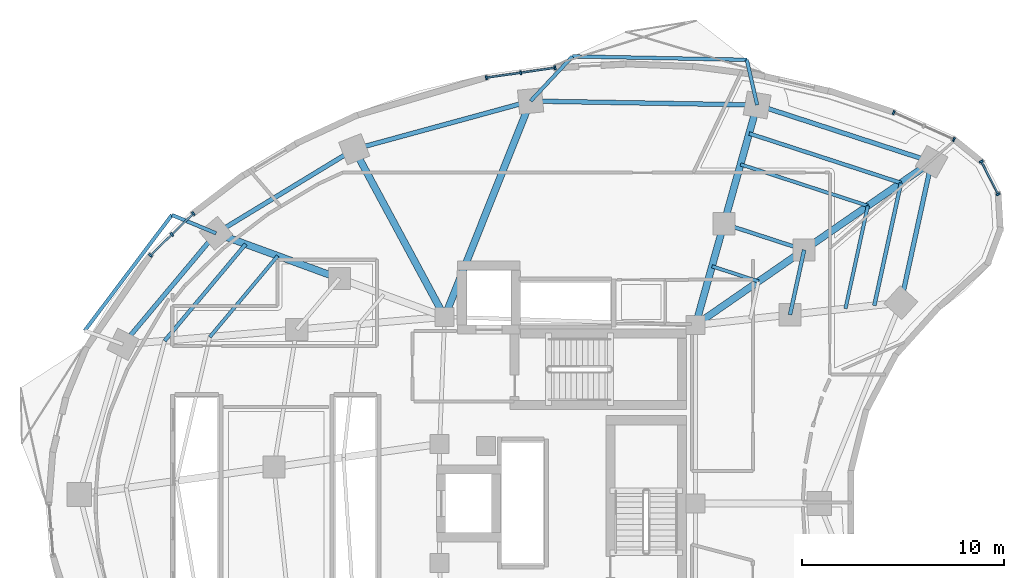
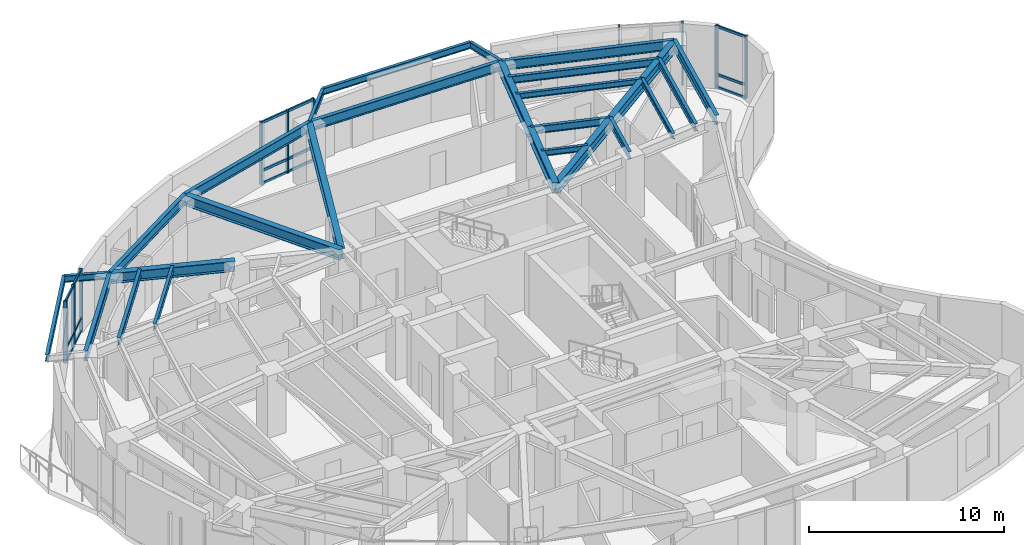
# One storey, part 5 of 15: 27 beams, 25 members, 4 elements without a shape of their own.
"""IFC4 building model written with IfcOpenShell, lengths in metres."""

from ifc_helpers import new_model, si_unit, direction, frame, origin, origin_2d, place, context, subcontext, project, spatial, rectangle, i_section, extrude, material, layer, layer_set, material_profile, profile_set, type_object, element, aggregate, save


model = new_model("IFC4")

# Units and contexts
model_context = context("Model", 3, precision=1e-05, world=origin(), true_north=direction((0.0, 1.0)))
body_context = subcontext(model_context, "Body", "Model", "MODEL_VIEW")
ifc_project = project(units=[si_unit("LENGTHUNIT", "METRE"), si_unit("AREAUNIT", "SQUARE_METRE"), si_unit("VOLUMEUNIT", "CUBIC_METRE"), si_unit("PLANEANGLEUNIT", "RADIAN"), si_unit("MASSUNIT", "GRAM", prefix="KILO")], contexts=[model_context])

# Site, building, storey
site_placement = place(None, origin())
site = spatial("IfcSite", under=ifc_project, at=site_placement, CompositionType="ELEMENT")
building_placement = place(site_placement, origin())
building = spatial("IfcBuilding", under=site, at=building_placement, Name="Korentha Bioscience Tower", CompositionType="ELEMENT")
storey_placement = place(building_placement, frame((0.0, 0.0, 111.0)))
storey = spatial("IfcBuildingStorey", under=building, at=storey_placement, Name="L25", CompositionType="ELEMENT", Elevation=111.0)

# Beams
ifc_material_1 = material(Name="Steel S355", Category="steel")
ifc_material_profile_1 = material_profile(ifc_material_1, i_section(OverallWidth=0.18994140625, OverallDepth=0.45703125, WebThickness=0.009033203125, FlangeThickness=0.014404296875, at=origin_2d()), Name="Steel S355")
ifc_profile_set_1 = profile_set([ifc_material_profile_1], Name="Steel S355 (MB-460)")
beam_type_1 = type_object("IfcBeamType", Name="Mid-Ring Tie Girder W460x74", PredefinedType="BEAM", material=ifc_profile_set_1)
beam_1_placement = place(storey_placement, frame((42.93603515625, 39.57470703125, 3.67138671875), z_axis=(-0.95087582253, 0.309572560361, 0.0), x_axis=(-0.309572560361, -0.95087582253, 0.0)))
element("IfcBeam", 1, at=beam_1_placement, inside=storey, type_object=beam_type_1, Name="L25 Mid-Ring Tie Girder 01", PredefinedType="BEAM", context=body_context, shape_type="SweptSolid", body=[
    extrude(i_section(OverallWidth=0.18994140625, OverallDepth=0.45703125, WebThickness=0.009033203125, FlangeThickness=0.014404296875, at=origin_2d()), origin(), (0.0, 0.0, 1.0), 4.186767578125),
])
beam_2_placement = place(storey_placement, frame((42.235595703125, 36.360595703125, 3.67138671875), z_axis=(0.212928773299, 0.977067724112, 0.0), x_axis=(-0.977067724112, 0.212928773299, 0.0)))
element("IfcBeam", 2, at=beam_2_placement, inside=storey, type_object=beam_type_1, Name="L25 Mid-Ring Tie Girder 16", PredefinedType="BEAM", context=body_context, shape_type="SweptSolid", body=[
    extrude(i_section(OverallWidth=0.18994140625, OverallDepth=0.45703125, WebThickness=0.009033203125, FlangeThickness=0.014404296875, at=origin_2d()), origin(), (0.0, 0.0, 1.0), 3.28955078125),
])

# Curtain wall, members
ifc_material_2 = material(Name="Thermally Broken Aluminium Frame", Category="aluminium")
ifc_layer = layer(ifc_material_2, 0.219970703125, Name="Thermally Broken Aluminium Frame")
ifc_layer_set = layer_set([ifc_layer], Name="Thermally Broken Aluminium Frame (CW-T1)")
curtain_wall_type = type_object("IfcCurtainWallType", Name="Standard Bioscience Lab Unitised Curtain Wall CW-T1", PredefinedType="USERDEFINED", material=ifc_layer_set)
curtain_wall_1_placement = place(storey_placement, origin())
curtain_wall_1 = element("IfcCurtainWall", 3, at=curtain_wall_1_placement, inside=storey, type_object=curtain_wall_type, Name="L25 Curtain Wall 01", ObjectType="UNITISED", PredefinedType="USERDEFINED")
ifc_material_3 = material(Name="Anodised Aluminium 6063-T6", Category="aluminium")
ifc_material_profile_2 = material_profile(ifc_material_3, rectangle(XDim=0.090087890625, YDim=0.199951171875, at=origin_2d()), Name="Anodised Aluminium 6063-T6")
ifc_profile_set_2 = profile_set([ifc_material_profile_2], Name="Anodised Aluminium 6063-T6 (CW-MUL)")
member_type_1 = type_object("IfcMemberType", Name="Mullion RECT 90x200", PredefinedType="MULLION", material=ifc_profile_set_2)
member_1_placement = place(storey_placement, frame((50.364013671875, 45.0517578125, 0.0), z_axis=(0.0, 0.0, 1.0), x_axis=(-0.912686563127, 0.408660295952, 0.0)))
member_1 = element("IfcMember", 4, at=member_1_placement, type_object=member_type_1, Name="CW-L25-01 Mullion 1", PredefinedType="MULLION", context=body_context, shape_type="SweptSolid", body=[
    extrude(rectangle(XDim=0.090087890625, YDim=0.199951171875, at=origin_2d()), origin(), (0.0, 0.0, 1.0), 3.89990234375),
])
member_2_placement = place(storey_placement, frame((47.37890625, 46.388427734375, 0.0), z_axis=(0.0, 0.0, 1.0), x_axis=(-0.912686563127, 0.408660295952, 0.0)))
member_2 = element("IfcMember", 5, at=member_2_placement, type_object=member_type_1, Name="CW-L25-01 Mullion 3", PredefinedType="MULLION", context=body_context, shape_type="SweptSolid", body=[
    extrude(rectangle(XDim=0.090087890625, YDim=0.199951171875, at=origin_2d()), origin(), (0.0, 0.0, 1.0), 3.89990234375),
])
aggregate(curtain_wall_1, [member_1, member_2])

curtain_wall_2_placement = place(storey_placement, origin())
curtain_wall_2 = element("IfcCurtainWall", 6, at=curtain_wall_2_placement, inside=storey, type_object=curtain_wall_type, Name="L25 Curtain Wall 07", ObjectType="UNITISED", PredefinedType="USERDEFINED")
member_3_placement = place(storey_placement, frame((30.576416015625, 48.609375, 0.0), z_axis=(0.0, 0.0, 1.0), x_axis=(-0.989738282326, -0.14289203091, 0.0)))
member_3 = element("IfcMember", 7, at=member_3_placement, type_object=member_type_1, Name="CW-L25-07 Mullion 1", PredefinedType="MULLION", context=body_context, shape_type="SweptSolid", body=[
    extrude(rectangle(XDim=0.090087890625, YDim=0.199951171875, at=origin_2d()), origin(), (0.0, 0.0, 1.0), 3.89990234375),
])
member_4_placement = place(storey_placement, frame((28.873291015625, 48.363525390625, 0.0), z_axis=(0.0, 0.0, 1.0), x_axis=(-0.989738282326, -0.14289203091, 0.0)))
member_4 = element("IfcMember", 8, at=member_4_placement, type_object=member_type_1, Name="CW-L25-07 Mullion 2", PredefinedType="MULLION", context=body_context, shape_type="SweptSolid", body=[
    extrude(rectangle(XDim=0.090087890625, YDim=0.199951171875, at=origin_2d()), origin(), (0.0, 0.0, 1.0), 3.89990234375),
])
member_5_placement = place(storey_placement, frame((27.170166015625, 48.11767578125, 0.0), z_axis=(0.0, 0.0, 1.0), x_axis=(-0.989738282326, -0.14289203091, 0.0)))
member_5 = element("IfcMember", 9, at=member_5_placement, type_object=member_type_1, Name="CW-L25-07 Mullion 3", PredefinedType="MULLION", context=body_context, shape_type="SweptSolid", body=[
    extrude(rectangle(XDim=0.090087890625, YDim=0.199951171875, at=origin_2d()), origin(), (0.0, 0.0, 1.0), 3.89990234375),
])

curtain_wall_3_placement = place(storey_placement, origin())
curtain_wall_3 = element("IfcCurtainWall", 10, at=curtain_wall_3_placement, inside=storey, type_object=curtain_wall_type, Name="L25 Curtain Wall 13", ObjectType="UNITISED", PredefinedType="USERDEFINED")
member_6_placement = place(storey_placement, frame((12.631103515625, 41.377197265625, 0.0), z_axis=(0.0, 0.0, 1.0), x_axis=(-0.716095631804, -0.698002182025, 0.0)))
member_6 = element("IfcMember", 11, at=member_6_placement, type_object=member_type_1, Name="CW-L25-13 Mullion 1", PredefinedType="MULLION", context=body_context, shape_type="SweptSolid", body=[
    extrude(rectangle(XDim=0.090087890625, YDim=0.199951171875, at=origin_2d()), origin(), (0.0, 0.0, 1.0), 3.89990234375),
])
member_7_placement = place(storey_placement, frame((11.56689453125, 40.340087890625, 0.0), z_axis=(0.0, 0.0, 1.0), x_axis=(-0.716095631804, -0.698002182025, 0.0)))
member_7 = element("IfcMember", 12, at=member_7_placement, type_object=member_type_1, Name="CW-L25-13 Mullion 2", PredefinedType="MULLION", context=body_context, shape_type="SweptSolid", body=[
    extrude(rectangle(XDim=0.090087890625, YDim=0.199951171875, at=origin_2d()), origin(), (0.0, 0.0, 1.0), 3.89990234375),
])
member_8_placement = place(storey_placement, frame((10.5029296875, 39.302734375, 0.0), z_axis=(0.0, 0.0, 1.0), x_axis=(-0.716095631804, -0.698002182025, 0.0)))
member_8 = element("IfcMember", 13, at=member_8_placement, type_object=member_type_1, Name="CW-L25-13 Mullion 3", PredefinedType="MULLION", context=body_context, shape_type="SweptSolid", body=[
    extrude(rectangle(XDim=0.090087890625, YDim=0.199951171875, at=origin_2d()), origin(), (0.0, 0.0, 1.0), 3.89990234375),
])

curtain_wall_4_placement = place(storey_placement, origin())
curtain_wall_4 = element("IfcCurtainWall", 14, at=curtain_wall_4_placement, inside=storey, type_object=curtain_wall_type, Name="L25 Curtain Wall 61", ObjectType="UNITISED", PredefinedType="USERDEFINED")
member_9_placement = place(storey_placement, frame((52.55859375, 42.337158203125, 0.0), z_axis=(0.0, 0.0, 1.0), x_axis=(-0.457613117169, 0.889151412862, 0.0)))
member_9 = element("IfcMember", 15, at=member_9_placement, type_object=member_type_1, Name="CW-L25-61 Mullion 1", PredefinedType="MULLION", context=body_context, shape_type="SweptSolid", body=[
    extrude(rectangle(XDim=0.090087890625, YDim=0.199951171875, at=origin_2d()), origin(), (0.0, 0.0, 1.0), 3.89990234375),
])
member_10_placement = place(storey_placement, frame((51.722412109375, 43.962158203125, 0.0), z_axis=(0.0, 0.0, 1.0), x_axis=(-0.457613117169, 0.889151412862, 0.0)))
member_10 = element("IfcMember", 16, at=member_10_placement, type_object=member_type_1, Name="CW-L25-61 Mullion 2", PredefinedType="MULLION", context=body_context, shape_type="SweptSolid", body=[
    extrude(rectangle(XDim=0.090087890625, YDim=0.199951171875, at=origin_2d()), origin(), (0.0, 0.0, 1.0), 3.89990234375),
])

# Beams
ifc_material_profile_3 = material_profile(ifc_material_1, i_section(OverallWidth=0.22802734375, OverallDepth=0.60791015625, WebThickness=0.01123046875, FlangeThickness=0.017333984375, at=origin_2d()), Name="Steel S355")
ifc_profile_set_3 = profile_set([ifc_material_profile_3], Name="Steel S355 (SB-610)")
beam_type_2 = type_object("IfcBeamType", Name="Perimeter Ring Spandrel Girder W610x113", PredefinedType="SPANDREL", material=ifc_profile_set_3)
beam_3_placement = place(storey_placement, frame((49.2587890625, 43.947021484375, 3.595947265625), z_axis=(-0.950867758759, 0.309597327755, 0.0), x_axis=(-0.309597327755, -0.950867758759, 0.0)))
element("IfcBeam", 17, at=beam_3_placement, inside=storey, type_object=beam_type_2, Name="L25 Perimeter Spandrel Girder 01", PredefinedType="SPANDREL", context=body_context, shape_type="SweptSolid", body=[
    extrude(i_section(OverallWidth=0.22802734375, OverallDepth=0.60791015625, WebThickness=0.01123046875, FlangeThickness=0.017333984375, at=origin_2d()), origin(), (0.0, 0.0, 1.0), 9.101806640625),
])
beam_4_placement = place(storey_placement, frame((40.604248046875, 46.764892578125, 3.595947265625), z_axis=(-0.999850566826, 0.017287105523, 0.0), x_axis=(-0.017287105523, -0.999850566826, 0.0)))
element("IfcBeam", 18, at=beam_4_placement, inside=storey, type_object=beam_type_2, Name="L25 Perimeter Spandrel Girder 02", PredefinedType="SPANDREL", context=body_context, shape_type="SweptSolid", body=[
    extrude(i_section(OverallWidth=0.22802734375, OverallDepth=0.60791015625, WebThickness=0.01123046875, FlangeThickness=0.017333984375, at=origin_2d()), origin(), (0.0, 0.0, 1.0), 11.24169921875),
])
beam_5_placement = place(storey_placement, frame((29.3642578125, 46.959228515625, 3.595947265625), z_axis=(-0.964659386444, -0.263500034431, 0.0), x_axis=(0.263500034431, -0.964659386444, 0.0)))
element("IfcBeam", 19, at=beam_5_placement, inside=storey, type_object=beam_type_2, Name="L25 Perimeter Spandrel Girder 03", PredefinedType="SPANDREL", context=body_context, shape_type="SweptSolid", body=[
    extrude(i_section(OverallWidth=0.22802734375, OverallDepth=0.60791015625, WebThickness=0.01123046875, FlangeThickness=0.017333984375, at=origin_2d()), origin(), (0.0, 0.0, 1.0), 9.06982421875),
])
beam_6_placement = place(storey_placement, frame((20.614990234375, 44.5693359375, 3.595947265625), z_axis=(-0.854461040474, -0.51951547649, 0.0), x_axis=(0.51951547649, -0.854461040474, 0.0)))
element("IfcBeam", 20, at=beam_6_placement, inside=storey, type_object=beam_type_2, Name="L25 Perimeter Spandrel Girder 04", PredefinedType="SPANDREL", context=body_context, shape_type="SweptSolid", body=[
    extrude(i_section(OverallWidth=0.22802734375, OverallDepth=0.60791015625, WebThickness=0.01123046875, FlangeThickness=0.017333984375, at=origin_2d()), origin(), (0.0, 0.0, 1.0), 8.025146484375),
])
beam_7_placement = place(storey_placement, frame((13.7578125, 40.400146484375, 3.595947265625), z_axis=(-0.642126556076, -0.76659864726, 0.0), x_axis=(0.76659864726, -0.642126556076, 0.0)))
element("IfcBeam", 21, at=beam_7_placement, inside=storey, type_object=beam_type_2, Name="L25 Perimeter Spandrel Girder 05", PredefinedType="SPANDREL", context=body_context, shape_type="SweptSolid", body=[
    extrude(i_section(OverallWidth=0.22802734375, OverallDepth=0.60791015625, WebThickness=0.01123046875, FlangeThickness=0.017333984375, at=origin_2d()), origin(), (0.0, 0.0, 1.0), 7.1884765625),
])
beam_8_placement = place(storey_placement, frame((47.736083984375, 36.959716796875, 3.595947265625), z_axis=(0.212927102256, 0.977068088275, 0.0), x_axis=(-0.977068088275, 0.212927102256, 0.0)))
element("IfcBeam", 22, at=beam_8_placement, inside=storey, type_object=beam_type_2, Name="L25 Perimeter Spandrel Girder 16", PredefinedType="SPANDREL", context=body_context, shape_type="SweptSolid", body=[
    extrude(i_section(OverallWidth=0.22802734375, OverallDepth=0.60791015625, WebThickness=0.01123046875, FlangeThickness=0.017333984375, at=origin_2d()), origin(), (0.0, 0.0, 1.0), 7.1513671875),
])
ifc_material_profile_4 = material_profile(ifc_material_1, i_section(OverallWidth=0.18994140625, OverallDepth=0.45703125, WebThickness=0.009033203125, FlangeThickness=0.014404296875, at=origin_2d()), Name="Steel S355")
ifc_profile_set_4 = profile_set([ifc_material_profile_4], Name="Steel S355 (RB-460)")
beam_type_3 = type_object("IfcBeamType", Name="Radial Laboratory Beam W460x74", PredefinedType="BEAM", material=ifc_profile_set_4)
beam_9_placement = place(storey_placement, frame((47.7412109375, 42.8974609375, 3.67138671875), z_axis=(-0.950866789802, 0.3096003037, 0.0), x_axis=(-0.3096003037, -0.950866789802, 0.0)))
element("IfcBeam", 23, at=beam_9_placement, inside=storey, type_object=beam_type_3, Name="L25 Secondary Floor Beam JSTO-01", PredefinedType="BEAM", context=body_context, shape_type="SweptSolid", body=[
    extrude(i_section(OverallWidth=0.18994140625, OverallDepth=0.45703125, WebThickness=0.009033203125, FlangeThickness=0.014404296875, at=origin_2d()), origin(), (0.0, 0.0, 1.0), 7.921875),
])
beam_10_placement = place(storey_placement, frame((15.227783203125, 39.8623046875, 3.67138671875), z_axis=(-0.642128156066, -0.766597307057, 0.0), x_axis=(0.766597307057, -0.642128156066, 0.0)))
element("IfcBeam", 24, at=beam_10_placement, inside=storey, type_object=beam_type_3, Name="L25 Secondary Floor Beam JSTO-05", PredefinedType="BEAM", context=body_context, shape_type="SweptSolid", body=[
    extrude(i_section(OverallWidth=0.18994140625, OverallDepth=0.45703125, WebThickness=0.009033203125, FlangeThickness=0.014404296875, at=origin_2d()), origin(), (0.0, 0.0, 1.0), 6.257080078125),
])
beam_11_placement = place(storey_placement, frame((46.416015625, 36.81591796875, 3.67138671875), z_axis=(0.21290837934, 0.977072168269, 0.0), x_axis=(-0.977072168269, 0.21290837934, 0.0)))
element("IfcBeam", 25, at=beam_11_placement, inside=storey, type_object=beam_type_3, Name="L25 Secondary Floor Beam JSTO-16", PredefinedType="BEAM", context=body_context, shape_type="SweptSolid", body=[
    extrude(i_section(OverallWidth=0.18994140625, OverallDepth=0.45703125, WebThickness=0.009033203125, FlangeThickness=0.014404296875, at=origin_2d()), origin(), (0.0, 0.0, 1.0), 6.224365234375),
])
ifc_material_profile_5 = material_profile(ifc_material_1, i_section(OverallWidth=0.35009765625, OverallDepth=0.64990234375, WebThickness=0.01611328125, FlangeThickness=0.02490234375, at=origin_2d()), Name="Steel S355")
ifc_profile_set_5 = profile_set([ifc_material_profile_5], Name="Steel S355 (RB-650)")
beam_type_4 = type_object("IfcBeamType", Name="Radial Laboratory Girder CVS 650x208", PredefinedType="BEAM", material=ifc_profile_set_5)
beam_12_placement = place(storey_placement, frame((37.550048828125, 35.85009765625, 3.574951171875), z_axis=(0.822488699387, 0.568781451333, 0.0), x_axis=(-0.568781451333, 0.822488699387, 0.0)))
element("IfcBeam", 26, at=beam_12_placement, inside=storey, type_object=beam_type_4, Name="L25 Inner Radial Girder 01", PredefinedType="BEAM", context=body_context, shape_type="SweptSolid", body=[
    extrude(i_section(OverallWidth=0.35009765625, OverallDepth=0.64990234375, WebThickness=0.01611328125, FlangeThickness=0.02490234375, at=origin_2d()), origin(), (0.0, 0.0, 1.0), 6.54833984375),
])
beam_13_placement = place(storey_placement, frame((42.93603515625, 39.57470703125, 3.574951171875), z_axis=(0.822495056204, 0.568772258922, 0.0), x_axis=(-0.568772258922, 0.822495056204, 0.0)))
element("IfcBeam", 27, at=beam_13_placement, inside=storey, type_object=beam_type_4, Name="L25 Outer Radial Girder 01", PredefinedType="BEAM", context=body_context, shape_type="SweptSolid", body=[
    extrude(i_section(OverallWidth=0.35009765625, OverallDepth=0.64990234375, WebThickness=0.01611328125, FlangeThickness=0.02490234375, at=origin_2d()), origin(), (0.0, 0.0, 1.0), 7.687255859375),
])
beam_14_placement = place(storey_placement, frame((37.550048828125, 35.85009765625, 3.574951171875), z_axis=(0.269447542125, 0.96301506844, 0.0), x_axis=(-0.96301506844, 0.269447542125, 0.0)))
element("IfcBeam", 28, at=beam_14_placement, inside=storey, type_object=beam_type_4, Name="L25 Inner Radial Girder 02", PredefinedType="BEAM", context=body_context, shape_type="SweptSolid", body=[
    extrude(i_section(OverallWidth=0.35009765625, OverallDepth=0.64990234375, WebThickness=0.01611328125, FlangeThickness=0.02490234375, at=origin_2d()), origin(), (0.0, 0.0, 1.0), 5.213623046875),
])
beam_15_placement = place(storey_placement, frame((38.954833984375, 40.870849609375, 3.574951171875), z_axis=(0.269490843458, 0.963002951861, 0.0), x_axis=(-0.963002951861, 0.269490843458, 0.0)))
element("IfcBeam", 29, at=beam_15_placement, inside=storey, type_object=beam_type_4, Name="L25 Outer Radial Girder 02", PredefinedType="BEAM", context=body_context, shape_type="SweptSolid", body=[
    extrude(i_section(OverallWidth=0.35009765625, OverallDepth=0.64990234375, WebThickness=0.01611328125, FlangeThickness=0.02490234375, at=origin_2d()), origin(), (0.0, 0.0, 1.0), 6.120361328125),
])
beam_16_placement = place(storey_placement, frame((25.10009765625, 36.25, 3.574951171875), z_axis=(0.369929528493, 0.929059817207, 0.0), x_axis=(-0.929059817207, 0.369929528493, 0.0)))
element("IfcBeam", 30, at=beam_16_placement, inside=storey, type_object=beam_type_4, Name="L25 Radial Girder 03", PredefinedType="BEAM", context=body_context, shape_type="SweptSolid", body=[
    extrude(i_section(OverallWidth=0.35009765625, OverallDepth=0.64990234375, WebThickness=0.01611328125, FlangeThickness=0.02490234375, at=origin_2d()), origin(), (0.0, 0.0, 1.0), 11.52685546875),
])
beam_17_placement = place(storey_placement, frame((25.10009765625, 36.25, 3.574951171875), z_axis=(-0.474548018732, 0.880229616587, 0.0), x_axis=(-0.880229616587, -0.474548018732, 0.0)))
element("IfcBeam", 31, at=beam_17_placement, inside=storey, type_object=beam_type_4, Name="L25 Radial Girder 04", PredefinedType="BEAM", context=body_context, shape_type="SweptSolid", body=[
    extrude(i_section(OverallWidth=0.35009765625, OverallDepth=0.64990234375, WebThickness=0.01611328125, FlangeThickness=0.02490234375, at=origin_2d()), origin(), (0.0, 0.0, 1.0), 9.451416015625),
])
beam_18_placement = place(storey_placement, frame((19.882568359375, 38.158935546875, 3.574951171875), z_axis=(-0.939100755225, 0.343641923425, 0.0), x_axis=(-0.343641923425, -0.939100755225, 0.0)))
element("IfcBeam", 32, at=beam_18_placement, inside=storey, type_object=beam_type_4, Name="L25 Outer Radial Girder 05", PredefinedType="BEAM", context=body_context, shape_type="SweptSolid", body=[
    extrude(i_section(OverallWidth=0.35009765625, OverallDepth=0.64990234375, WebThickness=0.01611328125, FlangeThickness=0.02490234375, at=origin_2d()), origin(), (0.0, 0.0, 1.0), 6.52197265625),
])
ifc_material_profile_6 = material_profile(ifc_material_1, i_section(OverallWidth=0.1708984375, OverallDepth=0.35498046875, WebThickness=0.007080078125, FlangeThickness=0.01171875, at=origin_2d()), Name="Steel S355")
ifc_profile_set_6 = profile_set([ifc_material_profile_6], Name="Steel S355 (JB-360)")
beam_type_5 = type_object("IfcBeamType", Name="Secondary Laboratory Joist W360x51", PredefinedType="JOIST", material=ifc_profile_set_6)
beam_19_placement = place(storey_placement, frame((46.097412109375, 41.7607421875, 3.722412109375), z_axis=(-0.950864890997, 0.309606135387, 0.0), x_axis=(-0.309606135387, -0.950864890997, 0.0)))
element("IfcBeam", 33, at=beam_19_placement, inside=storey, type_object=beam_type_5, Name="L25 Secondary Floor Beam JST-01", PredefinedType="JOIST", context=body_context, shape_type="SweptSolid", body=[
    extrude(i_section(OverallWidth=0.1708984375, OverallDepth=0.35498046875, WebThickness=0.007080078125, FlangeThickness=0.01171875, at=origin_2d()), origin(), (0.0, 0.0, 1.0), 6.644287109375),
])
beam_20_placement = place(storey_placement, frame((40.673828125, 38.01025390625, 3.722412109375), z_axis=(-0.950852158547, 0.30964523666, 0.0), x_axis=(-0.30964523666, -0.950852158547, 0.0)))
element("IfcBeam", 34, at=beam_20_placement, inside=storey, type_object=beam_type_5, Name="L25 Inner Bay Joist 01", PredefinedType="JOIST", context=body_context, shape_type="SweptSolid", body=[
    extrude(i_section(OverallWidth=0.1708984375, OverallDepth=0.35498046875, WebThickness=0.007080078125, FlangeThickness=0.01171875, at=origin_2d()), origin(), (0.0, 0.0, 1.0), 2.428466796875),
])
beam_21_placement = place(storey_placement, frame((16.8203125, 39.279541015625, 3.722412109375), z_axis=(-0.642140812018, -0.76658670582, 0.0), x_axis=(0.76658670582, -0.642140812018, 0.0)))
element("IfcBeam", 35, at=beam_21_placement, inside=storey, type_object=beam_type_5, Name="L25 Secondary Floor Beam JST-05", PredefinedType="JOIST", context=body_context, shape_type="SweptSolid", body=[
    extrude(i_section(OverallWidth=0.1708984375, OverallDepth=0.35498046875, WebThickness=0.007080078125, FlangeThickness=0.01171875, at=origin_2d()), origin(), (0.0, 0.0, 1.0), 5.247802734375),
])
beam_22_placement = place(storey_placement, frame((44.98583984375, 36.66015625, 3.722412109375), z_axis=(0.212932493609, 0.977066913351, 0.0), x_axis=(-0.977066913351, 0.212932493609, 0.0)))
element("IfcBeam", 36, at=beam_22_placement, inside=storey, type_object=beam_type_5, Name="L25 Secondary Floor Beam JST-16", PredefinedType="JOIST", context=body_context, shape_type="SweptSolid", body=[
    extrude(i_section(OverallWidth=0.1708984375, OverallDepth=0.35498046875, WebThickness=0.007080078125, FlangeThickness=0.01171875, at=origin_2d()), origin(), (0.0, 0.0, 1.0), 5.22021484375),
])
ifc_material_profile_7 = material_profile(ifc_material_1, i_section(OverallWidth=0.177978515625, OverallDepth=0.406982421875, WebThickness=0.0078125, FlangeThickness=0.0126953125, at=origin_2d()), Name="Steel S355")
ifc_profile_set_7 = profile_set([ifc_material_profile_7], Name="Steel S355 (CB-410)")
beam_type_6 = type_object("IfcBeamType", Name="Sun-Ledge Cantilever Beam W410x60", PredefinedType="BEAM", material=ifc_profile_set_7)
beam_23_placement = place(storey_placement, frame((40.604248046875, 46.764892578125, 3.698486328125), z_axis=(-0.223355143681, 0.974737133688, 0.0), x_axis=(-0.974737133688, -0.223355143681, 0.0)))
element("IfcBeam", 37, at=beam_23_placement, inside=storey, type_object=beam_type_6, Name="L25 Balcony Cantilever Bracket A-L26-01", PredefinedType="BEAM", context=body_context, shape_type="SweptSolid", body=[
    extrude(i_section(OverallWidth=0.177978515625, OverallDepth=0.406982421875, WebThickness=0.0078125, FlangeThickness=0.0126953125, at=origin_2d()), origin(), (0.0, 0.0, 1.0), 2.2998046875),
])
beam_24_placement = place(storey_placement, frame((29.3642578125, 46.959228515625, 3.698486328125), z_axis=(0.683612079986, 0.729845548111, 0.0), x_axis=(-0.729845548111, 0.683612079986, 0.0)))
element("IfcBeam", 38, at=beam_24_placement, inside=storey, type_object=beam_type_6, Name="L25 Balcony Cantilever Bracket B-L26-01", PredefinedType="BEAM", context=body_context, shape_type="SweptSolid", body=[
    extrude(i_section(OverallWidth=0.177978515625, OverallDepth=0.406982421875, WebThickness=0.0078125, FlangeThickness=0.0126953125, at=origin_2d()), origin(), (0.0, 0.0, 1.0), 3.036376953125),
])
beam_25_placement = place(storey_placement, frame((40.090576171875, 49.006591796875, 3.698486328125), z_axis=(-0.999809898127, 0.019497887269, 0.0), x_axis=(-0.019497887269, -0.999809898127, 0.0)))
element("IfcBeam", 39, at=beam_25_placement, inside=storey, type_object=beam_type_6, Name="L25 Balcony Edge Trimmer Beam L26-01", PredefinedType="BEAM", context=body_context, shape_type="SweptSolid", body=[
    extrude(i_section(OverallWidth=0.177978515625, OverallDepth=0.406982421875, WebThickness=0.0078125, FlangeThickness=0.0126953125, at=origin_2d()), origin(), (0.0, 0.0, 1.0), 8.65234375),
])
beam_26_placement = place(storey_placement, frame((13.7578125, 40.400146484375, 3.698486328125), z_axis=(-0.92367900971, 0.383167178945, 0.0), x_axis=(-0.383167178945, -0.92367900971, 0.0)))
element("IfcBeam", 40, at=beam_26_placement, inside=storey, type_object=beam_type_6, Name="L25 Balcony Cantilever Bracket A-L26-02", PredefinedType="BEAM", context=body_context, shape_type="SweptSolid", body=[
    extrude(i_section(OverallWidth=0.177978515625, OverallDepth=0.406982421875, WebThickness=0.0078125, FlangeThickness=0.0126953125, at=origin_2d()), origin(), (0.0, 0.0, 1.0), 2.370849609375),
])
beam_27_placement = place(storey_placement, frame((11.56787109375, 41.30859375, 3.698486328125), z_axis=(-0.601701274166, -0.798721213357, 0.0), x_axis=(0.798721213357, -0.601701274166, 0.0)))
element("IfcBeam", 41, at=beam_27_placement, inside=storey, type_object=beam_type_6, Name="L25 Balcony Edge Trimmer Beam L26-02", PredefinedType="BEAM", context=body_context, shape_type="SweptSolid", body=[
    extrude(i_section(OverallWidth=0.177978515625, OverallDepth=0.406982421875, WebThickness=0.0078125, FlangeThickness=0.0126953125, at=origin_2d()), origin(), (0.0, 0.0, 1.0), 7.180908203125),
])

# Member
ifc_material_profile_8 = material_profile(ifc_material_3, rectangle(XDim=0.090087890625, YDim=0.159912109375, at=origin_2d()), Name="Anodised Aluminium 6063-T6")
ifc_profile_set_8 = profile_set([ifc_material_profile_8], Name="Anodised Aluminium 6063-T6 (CW-TRN)")
member_type_2 = type_object("IfcMemberType", Name="Transom RECT 90x160", PredefinedType="USERDEFINED", material=ifc_profile_set_8)
member_11_placement = place(storey_placement, frame((30.53173828125, 48.602783203125, 0.044921875), z_axis=(-0.989747883164, -0.142825515132, 0.0), x_axis=(0.142825515132, -0.989747883164, 0.0)))
member_11 = element("IfcMember", 42, at=member_11_placement, type_object=member_type_2, Name="CW-L25-07 Bay 1 Transom 1", ObjectType="TRANSOM", PredefinedType="USERDEFINED", context=body_context, shape_type="SweptSolid", body=[
    extrude(rectangle(XDim=0.090087890625, YDim=0.159912109375, at=origin_2d()), origin(), (0.0, 0.0, 1.0), 1.630615234375),
])

member_12_placement = place(storey_placement, frame((30.53173828125, 48.602783203125, 0.85009765625), z_axis=(-0.989747883164, -0.142825515132, 0.0), x_axis=(0.142825515132, -0.989747883164, 0.0)))
member_12 = element("IfcMember", 43, at=member_12_placement, type_object=member_type_2, Name="CW-L25-07 Bay 1 Transom 2", ObjectType="TRANSOM", PredefinedType="USERDEFINED", context=body_context, shape_type="SweptSolid", body=[
    extrude(rectangle(XDim=0.090087890625, YDim=0.159912109375, at=origin_2d()), origin(), (0.0, 0.0, 1.0), 1.630615234375),
])

member_13_placement = place(storey_placement, frame((30.53173828125, 48.602783203125, 3.85498046875), z_axis=(-0.989747883164, -0.142825515132, 0.0), x_axis=(0.142825515132, -0.989747883164, 0.0)))
member_13 = element("IfcMember", 44, at=member_13_placement, type_object=member_type_2, Name="CW-L25-07 Bay 1 Transom 3", ObjectType="TRANSOM", PredefinedType="USERDEFINED", context=body_context, shape_type="SweptSolid", body=[
    extrude(rectangle(XDim=0.090087890625, YDim=0.159912109375, at=origin_2d()), origin(), (0.0, 0.0, 1.0), 1.630615234375),
])

member_14_placement = place(storey_placement, frame((28.82861328125, 48.357177734375, 0.044921875), z_axis=(-0.989723648346, -0.142993356153, 0.0), x_axis=(0.142993356153, -0.989723648346, 0.0)))
member_14 = element("IfcMember", 45, at=member_14_placement, type_object=member_type_2, Name="CW-L25-07 Bay 2 Transom 1", ObjectType="TRANSOM", PredefinedType="USERDEFINED", context=body_context, shape_type="SweptSolid", body=[
    extrude(rectangle(XDim=0.090087890625, YDim=0.159912109375, at=origin_2d()), origin(), (0.0, 0.0, 1.0), 1.630615234375),
])

member_15_placement = place(storey_placement, frame((28.82861328125, 48.357177734375, 0.85009765625), z_axis=(-0.989723648346, -0.142993356153, 0.0), x_axis=(0.142993356153, -0.989723648346, 0.0)))
member_15 = element("IfcMember", 46, at=member_15_placement, type_object=member_type_2, Name="CW-L25-07 Bay 2 Transom 2", ObjectType="TRANSOM", PredefinedType="USERDEFINED", context=body_context, shape_type="SweptSolid", body=[
    extrude(rectangle(XDim=0.090087890625, YDim=0.159912109375, at=origin_2d()), origin(), (0.0, 0.0, 1.0), 1.630615234375),
])

member_16_placement = place(storey_placement, frame((28.82861328125, 48.357177734375, 3.85498046875), z_axis=(-0.989723648346, -0.142993356153, 0.0), x_axis=(0.142993356153, -0.989723648346, 0.0)))
member_16 = element("IfcMember", 47, at=member_16_placement, type_object=member_type_2, Name="CW-L25-07 Bay 2 Transom 3", ObjectType="TRANSOM", PredefinedType="USERDEFINED", context=body_context, shape_type="SweptSolid", body=[
    extrude(rectangle(XDim=0.090087890625, YDim=0.159912109375, at=origin_2d()), origin(), (0.0, 0.0, 1.0), 1.630615234375),
])

aggregate(curtain_wall_2, [member_3, member_4, member_5, member_11, member_12, member_13, member_14, member_15, member_16])

member_17_placement = place(storey_placement, frame((12.598876953125, 41.345703125, 0.044921875), z_axis=(-0.716142170971, -0.697954433296, 0.0), x_axis=(0.697954433296, -0.716142170971, 0.0)))
member_17 = element("IfcMember", 48, at=member_17_placement, type_object=member_type_2, Name="CW-L25-13 Bay 1 Transom 1", ObjectType="TRANSOM", PredefinedType="USERDEFINED", context=body_context, shape_type="SweptSolid", body=[
    extrude(rectangle(XDim=0.090087890625, YDim=0.159912109375, at=origin_2d()), origin(), (0.0, 0.0, 1.0), 1.39599609375),
])

member_18_placement = place(storey_placement, frame((12.598876953125, 41.345703125, 0.85009765625), z_axis=(-0.716142170971, -0.697954433296, 0.0), x_axis=(0.697954433296, -0.716142170971, 0.0)))
member_18 = element("IfcMember", 49, at=member_18_placement, type_object=member_type_2, Name="CW-L25-13 Bay 1 Transom 2", ObjectType="TRANSOM", PredefinedType="USERDEFINED", context=body_context, shape_type="SweptSolid", body=[
    extrude(rectangle(XDim=0.090087890625, YDim=0.159912109375, at=origin_2d()), origin(), (0.0, 0.0, 1.0), 1.39599609375),
])

member_19_placement = place(storey_placement, frame((12.598876953125, 41.345703125, 3.85498046875), z_axis=(-0.716142170971, -0.697954433296, 0.0), x_axis=(0.697954433296, -0.716142170971, 0.0)))
member_19 = element("IfcMember", 50, at=member_19_placement, type_object=member_type_2, Name="CW-L25-13 Bay 1 Transom 3", ObjectType="TRANSOM", PredefinedType="USERDEFINED", context=body_context, shape_type="SweptSolid", body=[
    extrude(rectangle(XDim=0.090087890625, YDim=0.159912109375, at=origin_2d()), origin(), (0.0, 0.0, 1.0), 1.39599609375),
])

member_20_placement = place(storey_placement, frame((11.534912109375, 40.30859375, 0.044921875), z_axis=(-0.716142170971, -0.697954433296, 0.0), x_axis=(0.697954433296, -0.716142170971, 0.0)))
member_20 = element("IfcMember", 51, at=member_20_placement, type_object=member_type_2, Name="CW-L25-13 Bay 2 Transom 1", ObjectType="TRANSOM", PredefinedType="USERDEFINED", context=body_context, shape_type="SweptSolid", body=[
    extrude(rectangle(XDim=0.090087890625, YDim=0.159912109375, at=origin_2d()), origin(), (0.0, 0.0, 1.0), 1.39599609375),
])

member_21_placement = place(storey_placement, frame((11.534912109375, 40.30859375, 0.85009765625), z_axis=(-0.716142170971, -0.697954433296, 0.0), x_axis=(0.697954433296, -0.716142170971, 0.0)))
member_21 = element("IfcMember", 52, at=member_21_placement, type_object=member_type_2, Name="CW-L25-13 Bay 2 Transom 2", ObjectType="TRANSOM", PredefinedType="USERDEFINED", context=body_context, shape_type="SweptSolid", body=[
    extrude(rectangle(XDim=0.090087890625, YDim=0.159912109375, at=origin_2d()), origin(), (0.0, 0.0, 1.0), 1.39599609375),
])

member_22_placement = place(storey_placement, frame((11.534912109375, 40.30859375, 3.85498046875), z_axis=(-0.716142170971, -0.697954433296, 0.0), x_axis=(0.697954433296, -0.716142170971, 0.0)))
member_22 = element("IfcMember", 53, at=member_22_placement, type_object=member_type_2, Name="CW-L25-13 Bay 2 Transom 3", ObjectType="TRANSOM", PredefinedType="USERDEFINED", context=body_context, shape_type="SweptSolid", body=[
    extrude(rectangle(XDim=0.090087890625, YDim=0.159912109375, at=origin_2d()), origin(), (0.0, 0.0, 1.0), 1.39599609375),
])

aggregate(curtain_wall_3, [member_6, member_7, member_8, member_17, member_18, member_19, member_20, member_21, member_22])

member_23_placement = place(storey_placement, frame((52.5380859375, 42.377197265625, 0.044921875), z_axis=(-0.457636897633, 0.889139173541, 0.0), x_axis=(-0.889139173541, -0.457636897633, 0.0)))
member_23 = element("IfcMember", 54, at=member_23_placement, type_object=member_type_2, Name="CW-L25-61 Bay 1 Transom 1", ObjectType="TRANSOM", PredefinedType="USERDEFINED", context=body_context, shape_type="SweptSolid", body=[
    extrude(rectangle(XDim=0.090087890625, YDim=0.159912109375, at=origin_2d()), origin(), (0.0, 0.0, 1.0), 1.737548828125),
])

member_24_placement = place(storey_placement, frame((52.5380859375, 42.377197265625, 0.85009765625), z_axis=(-0.457636897633, 0.889139173541, 0.0), x_axis=(-0.889139173541, -0.457636897633, 0.0)))
member_24 = element("IfcMember", 55, at=member_24_placement, type_object=member_type_2, Name="CW-L25-61 Bay 1 Transom 2", ObjectType="TRANSOM", PredefinedType="USERDEFINED", context=body_context, shape_type="SweptSolid", body=[
    extrude(rectangle(XDim=0.090087890625, YDim=0.159912109375, at=origin_2d()), origin(), (0.0, 0.0, 1.0), 1.737548828125),
])

member_25_placement = place(storey_placement, frame((52.5380859375, 42.377197265625, 3.85498046875), z_axis=(-0.457636897633, 0.889139173541, 0.0), x_axis=(-0.889139173541, -0.457636897633, 0.0)))
member_25 = element("IfcMember", 56, at=member_25_placement, type_object=member_type_2, Name="CW-L25-61 Bay 1 Transom 3", ObjectType="TRANSOM", PredefinedType="USERDEFINED", context=body_context, shape_type="SweptSolid", body=[
    extrude(rectangle(XDim=0.090087890625, YDim=0.159912109375, at=origin_2d()), origin(), (0.0, 0.0, 1.0), 1.737548828125),
])

aggregate(curtain_wall_4, [member_9, member_10, member_23, member_24, member_25])

save(model, "model.ifc")
